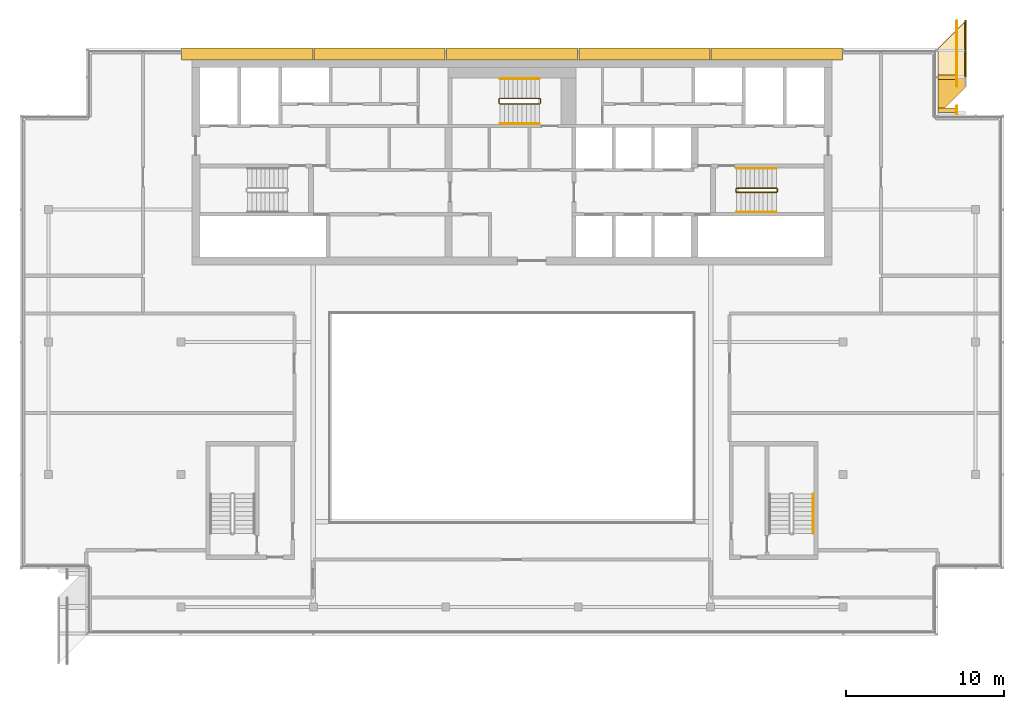
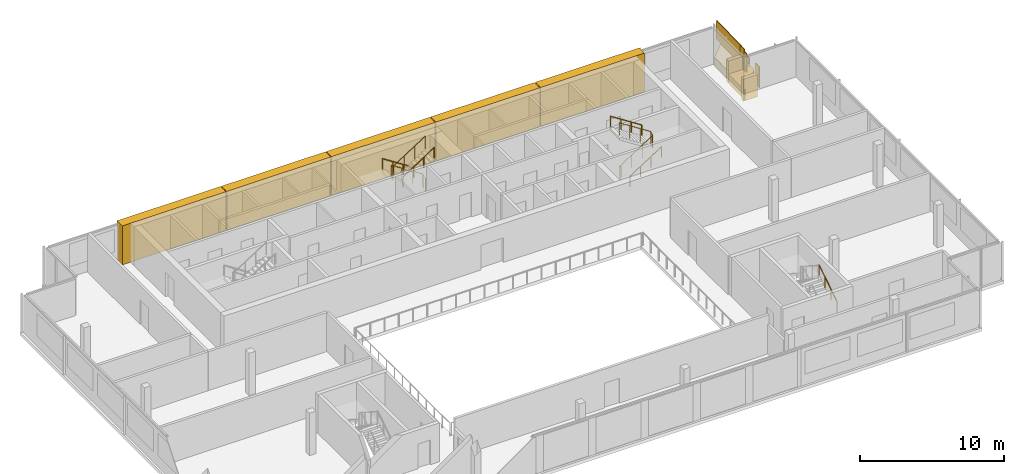
# One storey, part 18 of 19: 11 railings, 10 coverings.
"""IFC4 building model written with IfcOpenShell, lengths in metres."""

from ifc_helpers import new_model, si_unit, direction, frame, origin, origin_2d, place, context, subcontext, project, spatial, polyline, rectangle, circle, outline, extrude, material, layer, layer_set, type_object, element, save


model = new_model("IFC4")

# Units and contexts
model_context = context("Model", 3, precision=1e-05, world=origin(), true_north=direction((0.0, 1.0)))
body_context = subcontext(model_context, "Body", "Model", "MODEL_VIEW")
ifc_project = project(units=[si_unit("LENGTHUNIT", "METRE"), si_unit("AREAUNIT", "SQUARE_METRE"), si_unit("VOLUMEUNIT", "CUBIC_METRE"), si_unit("PLANEANGLEUNIT", "RADIAN"), si_unit("MASSUNIT", "GRAM", prefix="KILO")], contexts=[model_context])

# Site, building, storey
site_placement = place(None, origin())
site = spatial("IfcSite", under=ifc_project, at=site_placement, CompositionType="ELEMENT")
building_placement = place(site_placement, origin())
building = spatial("IfcBuilding", under=site, at=building_placement, Name="Saffron Gate Tower", CompositionType="ELEMENT")
storey_placement = place(building_placement, frame((0.0, 0.0, 306.75)))
storey = spatial("IfcBuildingStorey", under=building, at=storey_placement, Name="L75", CompositionType="ELEMENT", Elevation=306.75)

# Coverings
ifc_material_1 = material(Name="Ceramic-printed bronze insulated panel")
ifc_layer_1 = layer(ifc_material_1, 0.739990234375)
ifc_layer_set_1 = layer_set([ifc_layer_1], Name="CLD5 ceramic-printed cladding panel 740")
covering_type_1 = type_object("IfcCoveringType", Name="CLD5 ceramic-printed cladding panel 740", PredefinedType="CLADDING", material=ifc_layer_set_1)
covering_1_placement = place(storey_placement, origin())
element("IfcCovering", 1, at=covering_1_placement, inside=storey, type_object=covering_type_1, Name="CLADDING ceramic-printed panel", PredefinedType="CLADDING", context=body_context, shape_type="SweptSolid", body=[
    extrude(outline(polyline([(108.56494140625, 75.639892578125), (100.235107421875, 75.639892578125), (100.235107421875, 74.89990234375), (108.56494140625, 74.89990234375), (108.56494140625, 75.639892578125)])), origin(), (0.0, 0.0, 1.0), 3.300048828125),
])
covering_2_placement = place(storey_placement, origin())
element("IfcCovering", 2, at=covering_2_placement, inside=storey, type_object=covering_type_1, Name="CLADDING ceramic-printed panel", PredefinedType="CLADDING", context=body_context, shape_type="SweptSolid", body=[
    extrude(outline(polyline([(100.1650390625, 75.639892578125), (91.8349609375, 75.639892578125), (91.8349609375, 74.89990234375), (100.1650390625, 74.89990234375), (100.1650390625, 75.639892578125)])), origin(), (0.0, 0.0, 1.0), 3.300048828125),
])
covering_3_placement = place(storey_placement, origin())
element("IfcCovering", 3, at=covering_3_placement, inside=storey, type_object=covering_type_1, Name="CLADDING ceramic-printed panel", PredefinedType="CLADDING", context=body_context, shape_type="SweptSolid", body=[
    extrude(outline(polyline([(91.764892578125, 75.639892578125), (83.43505859375, 75.639892578125), (83.43505859375, 74.89990234375), (91.764892578125, 74.89990234375), (91.764892578125, 75.639892578125)])), origin(), (0.0, 0.0, 1.0), 3.300048828125),
])
covering_4_placement = place(storey_placement, origin())
element("IfcCovering", 4, at=covering_4_placement, inside=storey, type_object=covering_type_1, Name="CLADDING ceramic-printed panel", PredefinedType="CLADDING", context=body_context, shape_type="SweptSolid", body=[
    extrude(outline(polyline([(83.364990234375, 75.639892578125), (75.034912109375, 75.639892578125), (75.034912109375, 74.89990234375), (83.364990234375, 74.89990234375), (83.364990234375, 75.639892578125)])), origin(), (0.0, 0.0, 1.0), 3.300048828125),
])
covering_5_placement = place(storey_placement, origin())
element("IfcCovering", 5, at=covering_5_placement, inside=storey, type_object=covering_type_1, Name="CLADDING ceramic-printed panel", PredefinedType="CLADDING", context=body_context, shape_type="SweptSolid", body=[
    extrude(outline(polyline([(74.965087890625, 75.639892578125), (66.635009765625, 75.639892578125), (66.635009765625, 74.89990234375), (74.965087890625, 74.89990234375), (74.965087890625, 75.639892578125)])), origin(), (0.0, 0.0, 1.0), 3.300048828125),
])

# Railings
ifc_material_2 = material(Name="Stainless steel and laminated glass", Category="steel")
railing_type_1 = type_object("IfcRailingType", Name="CR1 Stair guard 1100", PredefinedType="GUARDRAIL", material=ifc_material_2)
railing_1_placement = place(storey_placement, frame((101.800048828125, 66.699951171875, 0.0)))
element("IfcRailing", 6, at=railing_1_placement, inside=storey, type_object=railing_type_1, Name="L75 ST-B stair guard 1", PredefinedType="GUARDRAIL", context=body_context, shape_type="SweptSolid", body=[
    extrude(circle(Radius=0.02392578125, at=origin_2d()), frame((0.0, 0.0, 1.076171875), z_axis=(0.0, -1.0, 0.0), x_axis=(1.0, 0.0, 0.0)), (0.0, 0.0, 1.0), 0.14990234375),
    extrude(circle(Radius=0.02392578125, at=origin_2d()), frame((0.0, -0.14990234375, 1.076171875), z_axis=(0.258847668887, -0.258847668887, 0.930588936439), x_axis=(0.707106781187, 0.707106781187, 0.0)), (0.0, 0.0, 1.0), 0.193359375),
    extrude(circle(Radius=0.02392578125, at=origin_2d()), frame((0.050048828125, -0.199951171875, 1.255859375), z_axis=(0.841162588446, 0.0, 0.540782303519), x_axis=(0.0, 1.0, 0.0)), (0.0, 0.0, 1.0), 2.995849609375),
    extrude(circle(Radius=0.02392578125, at=origin_2d()), frame((2.570068359375, -0.199951171875, 2.8759765625), z_axis=(0.705375805398, 0.708833529934, 0.0), x_axis=(-0.708833529934, 0.705375805398, 0.0)), (0.0, 0.0, 1.0), 0.070556640625),
    extrude(circle(Radius=0.02392578125, at=origin_2d()), frame((2.619873046875, -0.14990234375, 2.8759765625), z_axis=(0.0, 1.0, 0.0), x_axis=(-1.0, 0.0, 0.0)), (0.0, 0.0, 1.0), 0.14990234375),
    extrude(circle(Radius=0.02392578125, at=origin_2d()), frame((2.619873046875, 0.0, 2.8759765625), z_axis=(-0.257669022063, 0.258932105505, 0.930892496375), x_axis=(-0.708833529934, -0.705375805398, 0.0)), (0.0, 0.0, 1.0), 0.193359375),
    extrude(circle(Radius=0.02392578125, at=origin_2d()), frame((2.570068359375, 0.050048828125, 3.05615234375), z_axis=(-0.841162588446, 0.0, 0.540782303519), x_axis=(0.0, -1.0, 0.0)), (0.0, 0.0, 1.0), 2.995849609375),
    extrude(circle(Radius=0.02099609375, at=origin_2d()), origin(), (0.0, 0.0, 1.0), 1.052001953125),
    extrude(circle(Radius=0.02099609375, at=origin_2d()), frame((0.0, -0.14990234375, 0.0)), (0.0, 0.0, 1.0), 1.052001953125),
    extrude(circle(Radius=0.02099609375, at=origin_2d()), frame((0.050048828125, -0.199951171875, 0.179931640625)), (0.0, 0.0, 1.0), 1.052001953125),
    extrude(circle(Radius=0.02099609375, at=origin_2d()), frame((0.89013671875, -0.199951171875, 0.719970703125)), (0.0, 0.0, 1.0), 1.052001953125),
    extrude(circle(Radius=0.02099609375, at=origin_2d()), frame((1.72998046875, -0.199951171875, 1.260009765625)), (0.0, 0.0, 1.0), 1.052001953125),
    extrude(circle(Radius=0.02099609375, at=origin_2d()), frame((2.570068359375, -0.199951171875, 1.800048828125)), (0.0, 0.0, 1.0), 1.052001953125),
    extrude(circle(Radius=0.02099609375, at=origin_2d()), frame((2.619873046875, -0.14990234375, 1.800048828125)), (0.0, 0.0, 1.0), 1.052001953125),
    extrude(circle(Radius=0.02099609375, at=origin_2d()), frame((2.619873046875, 0.0, 1.800048828125)), (0.0, 0.0, 1.0), 1.052001953125),
    extrude(circle(Radius=0.02099609375, at=origin_2d()), frame((2.570068359375, 0.050048828125, 1.97998046875)), (0.0, 0.0, 1.0), 1.052001953125),
    extrude(circle(Radius=0.02099609375, at=origin_2d()), frame((1.72998046875, 0.050048828125, 2.52001953125)), (0.0, 0.0, 1.0), 1.052001953125),
    extrude(circle(Radius=0.02099609375, at=origin_2d()), frame((0.89013671875, 0.050048828125, 3.06005859375)), (0.0, 0.0, 1.0), 1.052001953125),
    extrude(circle(Radius=0.02099609375, at=origin_2d()), frame((0.050048828125, 0.050048828125, 3.60009765625)), (0.0, 0.0, 1.0), 1.052001953125),
])
railing_2_placement = place(storey_placement, frame((89.39990234375, 72.14990234375, 0.0)))
element("IfcRailing", 7, at=railing_2_placement, inside=storey, type_object=railing_type_1, Name="L75 ST-C stair guard 1", PredefinedType="GUARDRAIL", context=body_context, shape_type="SweptSolid", body=[
    extrude(circle(Radius=0.02392578125, at=origin_2d()), frame((0.0, 0.0, 1.076171875), z_axis=(0.0, 1.0, 0.0), x_axis=(-1.0, 0.0, 0.0)), (0.0, 0.0, 1.0), 0.25),
    extrude(circle(Radius=0.02392578125, at=origin_2d()), frame((0.0, 0.25, 1.076171875), z_axis=(-0.257669022063, 0.258932105505, 0.930892496375), x_axis=(-0.708833529934, -0.705375805398, 0.0)), (0.0, 0.0, 1.0), 0.193359375),
    extrude(circle(Radius=0.02392578125, at=origin_2d()), frame((-0.0498046875, 0.300048828125, 1.255859375), z_axis=(-0.841162588446, 0.0, 0.540782303519), x_axis=(0.0, -1.0, 0.0)), (0.0, 0.0, 1.0), 2.995849609375),
    extrude(circle(Radius=0.02392578125, at=origin_2d()), frame((-2.56982421875, 0.300048828125, 2.8759765625), z_axis=(-0.707106781187, -0.707106781187, 0.0), x_axis=(0.707106781187, -0.707106781187, 0.0)), (0.0, 0.0, 1.0), 0.07080078125),
    extrude(circle(Radius=0.02392578125, at=origin_2d()), frame((-2.619873046875, 0.25, 2.8759765625), z_axis=(0.0, -1.0, 0.0), x_axis=(1.0, 0.0, 0.0)), (0.0, 0.0, 1.0), 0.25),
    extrude(circle(Radius=0.02392578125, at=origin_2d()), frame((-2.619873046875, 0.0, 2.8759765625), z_axis=(0.258932105505, -0.257669022063, 0.930892496375), x_axis=(0.705375805398, 0.708833529934, 0.0)), (0.0, 0.0, 1.0), 0.193359375),
    extrude(circle(Radius=0.02392578125, at=origin_2d()), frame((-2.56982421875, -0.0498046875, 3.05615234375), z_axis=(0.841162588446, 0.0, 0.540782303519), x_axis=(0.0, 1.0, 0.0)), (0.0, 0.0, 1.0), 2.995849609375),
    extrude(circle(Radius=0.02099609375, at=origin_2d()), origin(), (0.0, 0.0, 1.0), 1.052001953125),
    extrude(circle(Radius=0.02099609375, at=origin_2d()), frame((0.0, 0.25, 0.0)), (0.0, 0.0, 1.0), 1.052001953125),
    extrude(circle(Radius=0.02099609375, at=origin_2d()), frame((-0.0498046875, 0.300048828125, 0.179931640625)), (0.0, 0.0, 1.0), 1.052001953125),
    extrude(circle(Radius=0.02099609375, at=origin_2d()), frame((-0.889892578125, 0.300048828125, 0.719970703125)), (0.0, 0.0, 1.0), 1.052001953125),
    extrude(circle(Radius=0.02099609375, at=origin_2d()), frame((-1.729736328125, 0.300048828125, 1.260009765625)), (0.0, 0.0, 1.0), 1.052001953125),
    extrude(circle(Radius=0.02099609375, at=origin_2d()), frame((-2.56982421875, 0.300048828125, 1.800048828125)), (0.0, 0.0, 1.0), 1.052001953125),
    extrude(circle(Radius=0.02099609375, at=origin_2d()), frame((-2.619873046875, 0.25, 1.800048828125)), (0.0, 0.0, 1.0), 1.052001953125),
    extrude(circle(Radius=0.02099609375, at=origin_2d()), frame((-2.619873046875, 0.0, 1.800048828125)), (0.0, 0.0, 1.0), 1.052001953125),
    extrude(circle(Radius=0.02099609375, at=origin_2d()), frame((-2.56982421875, -0.0498046875, 1.97998046875)), (0.0, 0.0, 1.0), 1.052001953125),
    extrude(circle(Radius=0.02099609375, at=origin_2d()), frame((-1.729736328125, -0.0498046875, 2.52001953125)), (0.0, 0.0, 1.0), 1.052001953125),
    extrude(circle(Radius=0.02099609375, at=origin_2d()), frame((-0.889892578125, -0.0498046875, 3.06005859375)), (0.0, 0.0, 1.0), 1.052001953125),
    extrude(circle(Radius=0.02099609375, at=origin_2d()), frame((-0.0498046875, -0.0498046875, 3.60009765625)), (0.0, 0.0, 1.0), 1.052001953125),
])
ifc_material_3 = material(Name="Stainless steel", Category="steel")
railing_type_2 = type_object("IfcRailingType", Name="CR2 Stair handrail 900", PredefinedType="HANDRAIL", material=ifc_material_3)
railing_3_placement = place(storey_placement, frame((101.85009765625, 65.25, 0.179931640625)))
element("IfcRailing", 8, at=railing_3_placement, inside=storey, type_object=railing_type_2, Name="L75 ST-B stair handrail 1", PredefinedType="HANDRAIL", context=body_context, shape_type="SweptSolid", body=[
    extrude(circle(Radius=0.02392578125, at=origin_2d()), frame((0.0, 0.0, 0.8759765625), z_axis=(0.841162588446, 0.0, 0.540782303519), x_axis=(0.0, 1.0, 0.0)), (0.0, 0.0, 1.0), 2.995849609375),
    extrude(circle(Radius=0.02099609375, at=origin_2d()), origin(), (0.0, 0.0, 1.0), 0.851806640625),
    extrude(circle(Radius=0.02099609375, at=origin_2d()), frame((0.840087890625, 0.0, 0.5400390625)), (0.0, 0.0, 1.0), 0.851806640625),
    extrude(circle(Radius=0.02099609375, at=origin_2d()), frame((1.679931640625, 0.0, 1.080078125)), (0.0, 0.0, 1.0), 0.851806640625),
    extrude(circle(Radius=0.02099609375, at=origin_2d()), frame((2.52001953125, 0.0, 1.6201171875)), (0.0, 0.0, 1.0), 0.851806640625),
])
for number, where, name in (
    (9, (104.3701171875, 68.0, 1.97998046875), "L75 ST-B stair handrail 2"),
    (10, (89.35009765625, 73.699951171875, 0.179931640625), "L75 ST-C stair handrail 1"),
):
    element("IfcRailing", number, at=place(storey_placement, frame(where)), inside=storey, type_object=railing_type_2, Name=name, PredefinedType="HANDRAIL", context=body_context, shape_type="SweptSolid", body=[
        extrude(circle(Radius=0.02392578125, at=origin_2d()), frame((0.0, 0.0, 0.8759765625), z_axis=(-0.841162588446, 0.0, 0.540782303519), x_axis=(0.0, -1.0, 0.0)), (0.0, 0.0, 1.0), 2.995849609375),
        extrude(circle(Radius=0.02099609375, at=origin_2d()), origin(), (0.0, 0.0, 1.0), 0.851806640625),
        extrude(circle(Radius=0.02099609375, at=origin_2d()), frame((-0.840087890625, 0.0, 0.5400390625)), (0.0, 0.0, 1.0), 0.851806640625),
        extrude(circle(Radius=0.02099609375, at=origin_2d()), frame((-1.679931640625, 0.0, 1.080078125)), (0.0, 0.0, 1.0), 0.851806640625),
        extrude(circle(Radius=0.02099609375, at=origin_2d()), frame((-2.52001953125, 0.0, 1.6201171875)), (0.0, 0.0, 1.0), 0.851806640625),
    ])
railing_4_placement = place(storey_placement, frame((86.830078125, 70.85009765625, 1.97998046875)))
element("IfcRailing", 11, at=railing_4_placement, inside=storey, type_object=railing_type_2, Name="L75 ST-C stair handrail 2", PredefinedType="HANDRAIL", context=body_context, shape_type="SweptSolid", body=[
    extrude(circle(Radius=0.02392578125, at=origin_2d()), frame((0.0, 0.0, 0.8759765625), z_axis=(0.841162588446, 0.0, 0.540782303519), x_axis=(0.0, 1.0, 0.0)), (0.0, 0.0, 1.0), 2.995849609375),
    extrude(circle(Radius=0.02099609375, at=origin_2d()), origin(), (0.0, 0.0, 1.0), 0.851806640625),
    extrude(circle(Radius=0.02099609375, at=origin_2d()), frame((0.840087890625, 0.0, 0.5400390625)), (0.0, 0.0, 1.0), 0.851806640625),
    extrude(circle(Radius=0.02099609375, at=origin_2d()), frame((1.679931640625, 0.0, 1.080078125)), (0.0, 0.0, 1.0), 0.851806640625),
    extrude(circle(Radius=0.02099609375, at=origin_2d()), frame((2.52001953125, 0.0, 1.6201171875)), (0.0, 0.0, 1.0), 0.851806640625),
])
railing_5_placement = place(storey_placement, frame((106.699951171875, 44.85009765625, 0.179931640625)))
element("IfcRailing", 12, at=railing_5_placement, inside=storey, type_object=railing_type_2, Name="L75 ST-E stair handrail 1", PredefinedType="HANDRAIL", context=body_context, shape_type="SweptSolid", body=[
    extrude(circle(Radius=0.02392578125, at=origin_2d()), frame((0.0, 0.0, 0.8759765625), z_axis=(0.0, 0.841162588446, 0.540782303519), x_axis=(-1.0, 0.0, 0.0)), (0.0, 0.0, 1.0), 2.995849609375),
    extrude(circle(Radius=0.02099609375, at=origin_2d()), origin(), (0.0, 0.0, 1.0), 0.851806640625),
    extrude(circle(Radius=0.02099609375, at=origin_2d()), frame((0.0, 0.840087890625, 0.5400390625)), (0.0, 0.0, 1.0), 0.851806640625),
    extrude(circle(Radius=0.02099609375, at=origin_2d()), frame((0.0, 1.679931640625, 1.080078125)), (0.0, 0.0, 1.0), 0.851806640625),
    extrude(circle(Radius=0.02099609375, at=origin_2d()), frame((0.0, 2.52001953125, 1.6201171875)), (0.0, 0.0, 1.0), 0.851806640625),
])

# Coverings
ifc_material_4 = material(Name="Timber, thermally modified ash", Category="wood")
ifc_layer_2 = layer(ifc_material_4, 0.800048828125)
ifc_layer_set_2 = layer_set([ifc_layer_2], Name="LD1 ledge timber")
covering_type_2 = type_object("IfcCoveringType", Name="LD1 ledge timber", PredefinedType="CLADDING", material=ifc_layer_set_2)
covering_6_placement = place(storey_placement, frame((114.60009765625, 71.39990234375, 0.10986328125), z_axis=(2.633725e-05, -0.028794305201, 0.999585357683), x_axis=(5.2e-10, 0.99958535803, 0.028794305211)))
element("IfcCovering", 13, at=covering_6_placement, inside=storey, type_object=covering_type_2, Name="LEDGE", PredefinedType="CLADDING", context=body_context, shape_type="SweptSolid", body=[
    extrude(outline(polyline([(0.0, 0.0), (2.401140733194568, 0.0), (2.4011407341303483, -1.799804686875782), (1.8007927835182762, -1.7998046884363594), (0.0, 0.0)])), origin(), (0.0, 0.0, -1.0), 0.800048828125),
])
covering_7_placement = place(storey_placement, frame((114.60009765625, 73.800048828125, 0.365966796875), z_axis=(-4.6499081e-05, -0.028788135707, 0.999585534649), x_axis=(-2.161e-09, 0.99958553573, 0.028788135738)))
element("IfcCovering", 14, at=covering_7_placement, inside=storey, type_object=covering_type_2, Name="LEDGE", PredefinedType="CLADDING", context=body_context, shape_type="SweptSolid", body=[
    extrude(outline(polyline([(0.0, 0.0), (1.8007927831333284, 0.0), (3.6013485512933356, -1.7998046972281723), (-3.889338571964307e-09, -1.799804685554263), (0.0, 0.0)])), origin(), (0.0, 0.0, -1.0), 0.800048828125),
])
ifc_layer_3 = layer(ifc_material_4, 0.080078125)
ifc_layer_set_3 = layer_set([ifc_layer_3], Name="LD2 ledge planter trough")
covering_type_3 = type_object("IfcCoveringType", Name="LD2 ledge planter trough", PredefinedType="CLADDING", material=ifc_layer_set_3)
covering_8_placement = place(storey_placement, frame((116.39990234375, 73.800048828125, 0.365966796875), z_axis=(1.0, 0.0, 0.0), x_axis=(0.0, 0.999584866472, 0.028811364412)))
element("IfcCovering", 15, at=covering_8_placement, inside=storey, type_object=covering_type_3, Name="LEDGE planter trough", PredefinedType="CLADDING", context=body_context, shape_type="SweptSolid", body=[
    extrude(outline(polyline([(0.0, 0.0), (3.601348556155073, 0.0), (3.6157542383609322, 0.49979243323622236), (0.01440568220585924, 0.49979243323622236), (0.0, 0.0)])), origin(), (0.0, 0.0, -1.0), 0.080078125),
])
ifc_layer_4 = layer(ifc_material_4, 0.300048828125)
ifc_layer_set_4 = layer_set([ifc_layer_4], Name="LD3 ledge riser fin")
covering_type_4 = type_object("IfcCoveringType", Name="LD3 ledge riser fin", PredefinedType="CLADDING", material=ifc_layer_set_4)
for number, where, z_axis, x_axis, name in (
    (16, (115.159912109375, 71.699951171875, -0.876953125), (0.0, 0.0, 1.0), (0.0, 1.0, 0.0), "LEDGE riser fin"),
    (17, (115.159912109375, 73.800048828125, -0.62109375), (0.0, 0.0, 1.0), (0.0, 1.0, 0.0), "LEDGE riser fin"),
):
    element("IfcCovering", number, at=place(storey_placement, frame(where, z_axis=z_axis, x_axis=x_axis)), inside=storey, type_object=covering_type_4, Name=name, PredefinedType="CLADDING", context=body_context, shape_type="SweptSolid", body=[
        extrude(rectangle(XDim=0.300048828125, YDim=1.1201171875, at=origin_2d()), origin(), (0.0, 0.0, 1.0), 1.886962890625),
    ])

# Railings
railing_type_3 = type_object("IfcRailingType", Name="LG1 ledge balustrade", PredefinedType="BALUSTRADE", material=ifc_material_4)
railing_6_placement = place(storey_placement, frame((115.800048828125, 73.199951171875, 0.16162109375)))
element("IfcRailing", 18, at=railing_6_placement, inside=storey, type_object=railing_type_3, Name="LEDGE BALUSTRADE", PredefinedType="BALUSTRADE", context=body_context, shape_type="SweptSolid", body=[
    extrude(rectangle(XDim=0.06005859375, YDim=1.60009765625, at=origin_2d()), frame((0.0, 0.0, 0.800048828125), z_axis=(0.0, 0.999583081391, 0.028873229772), x_axis=(-1.0, 0.0, 0.0)), (0.0, 0.0, 1.0), 0.600341796875),
])
railing_7_placement = place(storey_placement, frame((115.800048828125, 71.39990234375, -0.0771484375)))
element("IfcRailing", 19, at=railing_7_placement, inside=storey, type_object=railing_type_3, Name="LEDGE BALUSTRADE", PredefinedType="BALUSTRADE", context=body_context, shape_type="SweptSolid", body=[
    extrude(rectangle(XDim=0.06005859375, YDim=1.787109375, at=origin_2d()), frame((0.0, 0.0, 0.8935546875), z_axis=(0.0, 1.0, 0.0), x_axis=(-1.0, 0.0, 0.0)), (0.0, 0.0, 1.0), 0.60009765625),
])
railing_8_placement = place(storey_placement, frame((115.800048828125, 73.800048828125, 0.365966796875)))
element("IfcRailing", 20, at=railing_8_placement, inside=storey, type_object=railing_type_3, Name="LEDGE BALUSTRADE", PredefinedType="BALUSTRADE", context=body_context, shape_type="SweptSolid", body=[
    extrude(rectangle(XDim=0.06005859375, YDim=1.60009765625, at=origin_2d()), frame((0.0, 0.0, 0.800048828125), z_axis=(0.0, 0.999584866472, 0.028811364412), x_axis=(-1.0, 0.0, 0.0)), (0.0, 0.0, 1.0), 3.601318359375),
])
railing_9_placement = place(storey_placement, frame((115.800048828125, 73.5, 0.178955078125)))
element("IfcRailing", 21, at=railing_9_placement, inside=storey, type_object=railing_type_3, Name="LEDGE BALUSTRADE", PredefinedType="BALUSTRADE", context=body_context, shape_type="SweptSolid", body=[
    extrude(rectangle(XDim=0.06005859375, YDim=1.787109375, at=origin_2d()), frame((0.0, 0.0, 0.8935546875), z_axis=(0.0, 1.0, 0.0), x_axis=(-1.0, 0.0, 0.0)), (0.0, 0.0, 1.0), 0.60009765625),
])

save(model, "model.ifc")
